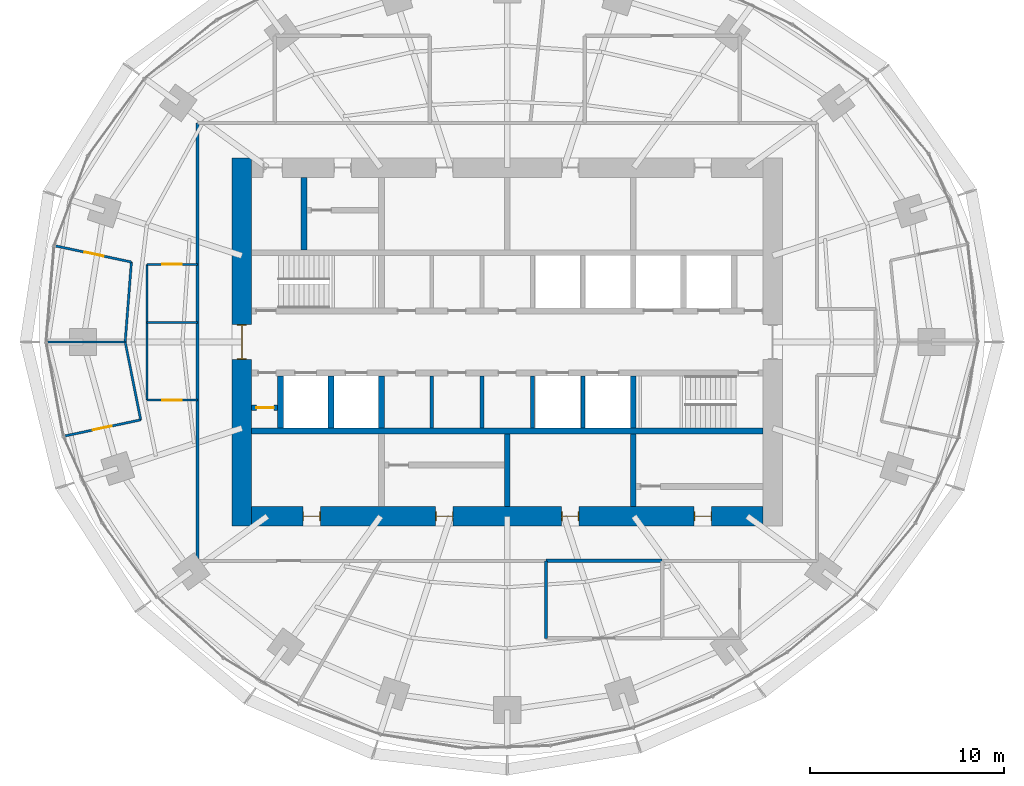
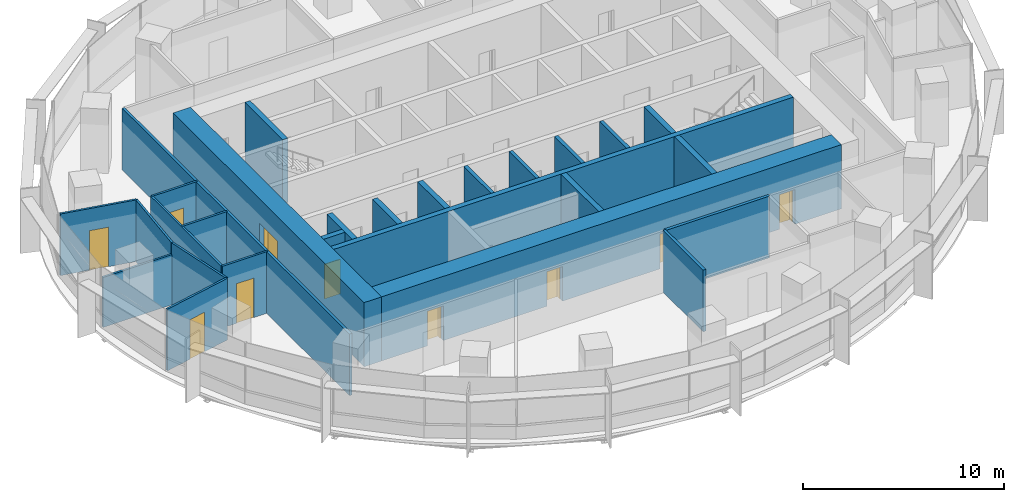
# One storey, part 10 of 14: 27 walls, 10 doors, 10 openings.
"""IFC4 building model written with IfcOpenShell, lengths in metres."""

from ifc_helpers import new_model, si_unit, direction, frame, frame_2d, origin, place, context, subcontext, project, spatial, rectangle, extrude, material, layer, layer_set, type_object, element, fill, save


model = new_model("IFC4")

# Units and contexts
model_context = context("Model", 3, precision=1e-05, world=origin(), true_north=direction((0.0, 1.0)))
body_context = subcontext(model_context, "Body", "Model", "MODEL_VIEW")
ifc_project = project(units=[si_unit("LENGTHUNIT", "METRE"), si_unit("AREAUNIT", "SQUARE_METRE"), si_unit("VOLUMEUNIT", "CUBIC_METRE"), si_unit("PLANEANGLEUNIT", "RADIAN"), si_unit("MASSUNIT", "GRAM", prefix="KILO")], contexts=[model_context])

# Site, building, storey
site_placement = place(None, origin())
site = spatial("IfcSite", under=ifc_project, at=site_placement, CompositionType="ELEMENT")
building_placement = place(site_placement, origin())
building = spatial("IfcBuilding", under=site, at=building_placement, Name="Marramba Exchange Tower", CompositionType="ELEMENT")
storey_placement = place(building_placement, frame((0.0, 0.0, 183.800048828125)))
storey = spatial("IfcBuildingStorey", under=building, at=storey_placement, Name="L44", CompositionType="ELEMENT", Elevation=183.800048828125)

# Walls
ifc_material_1 = material(Name="Plasterboard on staggered double steel studs, acoustic insulation", Category="steel")
ifc_layer_1 = layer(ifc_material_1, 0.169921875)
ifc_layer_set_1 = layer_set([ifc_layer_1], Name="Acoustic partition 170")
wall_type_1 = type_object("IfcWallType", Name="Acoustic partition 170", PredefinedType="PARTITIONING", material=ifc_layer_set_1)
wall_1_placement = place(storey_placement, frame((2.0, -11.300048828125, 0.0), z_axis=(0.0, 0.0, 1.0), x_axis=(0.0, -1.0, 0.0)))
element("IfcWall", 1, at=wall_1_placement, inside=storey, type_object=wall_type_1, Name="Acoustic partition L44 06", PredefinedType="PARTITIONING", context=body_context, shape_type="SweptSolid", body=[
    extrude(rectangle(XDim=4.0, YDim=0.169921875, at=frame_2d((2.0, 0.0))), origin(), (0.0, 0.0, 1.0), 3.739990234375),
])
wall_2_placement = place(storey_placement, frame((8.0, -11.300048828125, 0.0), z_axis=(0.0, 0.0, 1.0), x_axis=(-1.0, 0.0, 0.0)))
element("IfcWall", 2, at=wall_2_placement, inside=storey, type_object=wall_type_1, Name="Acoustic partition L44 08", PredefinedType="PARTITIONING", context=body_context, shape_type="SweptSolid", body=[
    extrude(rectangle(XDim=6.0, YDim=0.169921875, at=frame_2d((3.0, 0.0))), origin(), (0.0, 0.0, 1.0), 3.739990234375),
])
ifc_material_2 = material(Name="Concrete N50", Category="concrete")
ifc_layer_2 = layer(ifc_material_2, 0.199951171875)
ifc_layer_set_2 = layer_set([ifc_layer_2], Name="Core shaft wall 200")
wall_type_2 = type_object("IfcWallType", Name="Core shaft wall 200", PredefinedType="SHEAR", material=ifc_layer_set_2)
for number, where, z_axis, x_axis, name in (
    (3, (-3.89990234375, -1.75, 0.0), (0.0, 0.0, 1.0), (0.0, -1.0, 0.0), "Core wall SHS1 L44"),
    (4, (-1.300048828125, -1.75, 0.0), (0.0, 0.0, 1.0), (0.0, -1.0, 0.0), "Core wall SHS2 L44"),
    (5, (1.300048828125, -1.75, 0.0), (0.0, 0.0, 1.0), (0.0, -1.0, 0.0), "Core wall SHS3 L44"),
    (6, (3.89990234375, -1.75, 0.0), (0.0, 0.0, 1.0), (0.0, -1.0, 0.0), "Core wall SHS4 L44"),
):
    element("IfcWall", number, at=place(storey_placement, frame(where, z_axis=z_axis, x_axis=x_axis)), inside=storey, type_object=wall_type_2, Name=name, PredefinedType="SHEAR", context=body_context, shape_type="SweptSolid", body=[
        extrude(rectangle(XDim=2.699951171875, YDim=0.199951171875, at=frame_2d((1.35009765625, 0.0))), origin(), (0.0, 0.0, 1.0), 3.89990234375),
    ])

# Wall, openings, doors
ifc_layer_3 = layer(ifc_material_2, 1.0)
ifc_layer_set_3 = layer_set([ifc_layer_3], Name="Core wall 1000")
wall_type_3 = type_object("IfcWallType", Name="Core wall 1000", PredefinedType="SHEAR", material=ifc_layer_set_3)
wall_3_placement = place(storey_placement, frame((-13.199951171875, -9.0, 0.0), z_axis=(0.0, 0.0, 1.0), x_axis=(1.0, 0.0, 0.0)))
wall_3 = element("IfcWall", 7, at=wall_3_placement, inside=storey, type_object=wall_type_3, Name="Core wall S L44", PredefinedType="SHEAR", context=body_context, shape_type="SweptSolid", body=[
    extrude(rectangle(XDim=26.39990234375, YDim=1.0, at=frame_2d((13.199951171875, 0.0))), origin(), (0.0, 0.0, 1.0), 3.89990234375),
])
opening_1_placement = place(wall_3_placement, frame((2.64990234375, 0.0, 0.0)))
opening_1 = element("IfcOpeningElement", 8, at=opening_1_placement, cuts=wall_3, Name="Opening D5", PredefinedType="OPENING", context=body_context, shape_type="SweptSolid", body=[
    extrude(rectangle(XDim=0.89990234375, YDim=2.10009765625, at=frame_2d((0.449951171875, 1.050048828125))), frame((0.0, 0.510009765625, 0.0), z_axis=(0.0, -1.0, 0.0), x_axis=(1.0, 0.0, 0.0)), (0.0, 0.0, 1.0), 1.02001953125),
])
opening_2_placement = place(wall_3_placement, frame((9.5, 0.0, 0.0)))
opening_2 = element("IfcOpeningElement", 9, at=opening_2_placement, cuts=wall_3, Name="Opening D5", PredefinedType="OPENING", context=body_context, shape_type="SweptSolid", body=[
    extrude(rectangle(XDim=0.89990234375, YDim=2.10009765625, at=frame_2d((0.449951171875, 1.050048828125))), frame((0.0, 0.510009765625, 0.0), z_axis=(0.0, -1.0, 0.0), x_axis=(1.0, 0.0, 0.0)), (0.0, 0.0, 1.0), 1.02001953125),
])
opening_3_placement = place(wall_3_placement, frame((16.0, 0.0, 0.0)))
opening_3 = element("IfcOpeningElement", 10, at=opening_3_placement, cuts=wall_3, Name="Opening D5", PredefinedType="OPENING", context=body_context, shape_type="SweptSolid", body=[
    extrude(rectangle(XDim=0.89990234375, YDim=2.10009765625, at=frame_2d((0.449951171875, 1.050048828125))), frame((0.0, 0.510009765625, 0.0), z_axis=(0.0, -1.0, 0.0), x_axis=(1.0, 0.0, 0.0)), (0.0, 0.0, 1.0), 1.02001953125),
])
opening_4_placement = place(wall_3_placement, frame((22.85009765625, 0.0, 0.0)))
opening_4 = element("IfcOpeningElement", 11, at=opening_4_placement, cuts=wall_3, Name="Opening D5", PredefinedType="OPENING", context=body_context, shape_type="SweptSolid", body=[
    extrude(rectangle(XDim=0.89990234375, YDim=2.10009765625, at=frame_2d((0.449951171875, 1.050048828125))), frame((0.0, 0.510009765625, 0.0), z_axis=(0.0, -1.0, 0.0), x_axis=(1.0, 0.0, 0.0)), (0.0, 0.0, 1.0), 1.02001953125),
])
ifc_material_3 = material(Name="Steel-framed door", Category="steel")
door_type_1 = type_object("IfcDoorType", Name="Service door 900x2100", OperationType="SINGLE_SWING_LEFT", PredefinedType="DOOR", material=ifc_material_3)
door_1_placement = place(opening_1_placement, origin())
door_1 = element("IfcDoor", 12, at=door_1_placement, inside=storey, type_object=door_type_1, Name="D5 ahu L44", OperationType="SINGLE_SWING_LEFT", OverallHeight=2.10009765625, OverallWidth=0.89990234375, PredefinedType="DOOR", context=body_context, shape_type="SweptSolid", body=[
    extrude(rectangle(XDim=0.81982421875, YDim=2.06005859375, at=frame_2d((0.449951171875, 1.030029296875))), frame((0.0, 0.02490234375, 0.0), z_axis=(0.0, -1.0, 0.0), x_axis=(1.0, 0.0, 0.0)), (0.0, 0.0, 1.0), 0.050048828125),
    extrude(rectangle(XDim=0.04, YDim=2.10009765625, at=frame_2d((0.02001953125, 1.050048828125))), frame((0.0, 0.25, 0.0), z_axis=(0.0, -1.0, 0.0), x_axis=(1.0, 0.0, 0.0)), (0.0, 0.0, 1.0), 0.5),
    extrude(rectangle(XDim=0.04, YDim=2.10009765625, at=frame_2d((0.8798828125, 1.050048828125))), frame((0.0, 0.25, 0.0), z_axis=(0.0, -1.0, 0.0), x_axis=(1.0, 0.0, 0.0)), (0.0, 0.0, 1.0), 0.5),
    extrude(rectangle(XDim=0.81982421875, YDim=0.04, at=frame_2d((0.449951171875, 2.080078125))), frame((0.0, 0.25, 0.0), z_axis=(0.0, -1.0, 0.0), x_axis=(1.0, 0.0, 0.0)), (0.0, 0.0, 1.0), 0.5),
])
fill(opening_1, door_1)
door_2_placement = place(opening_2_placement, origin())
door_2 = element("IfcDoor", 13, at=door_2_placement, inside=storey, type_object=door_type_1, Name="D5 store L44", OperationType="SINGLE_SWING_RIGHT", OverallHeight=2.10009765625, OverallWidth=0.89990234375, PredefinedType="DOOR", context=body_context, shape_type="SweptSolid", body=[
    extrude(rectangle(XDim=0.81982421875, YDim=2.06005859375, at=frame_2d((0.449951171875, 1.030029296875))), frame((0.0, 0.02490234375, 0.0), z_axis=(0.0, -1.0, 0.0), x_axis=(1.0, 0.0, 0.0)), (0.0, 0.0, 1.0), 0.050048828125),
    extrude(rectangle(XDim=0.04, YDim=2.10009765625, at=frame_2d((0.02001953125, 1.050048828125))), frame((0.0, 0.25, 0.0), z_axis=(0.0, -1.0, 0.0), x_axis=(1.0, 0.0, 0.0)), (0.0, 0.0, 1.0), 0.5),
    extrude(rectangle(XDim=0.04, YDim=2.10009765625, at=frame_2d((0.8798828125, 1.050048828125))), frame((0.0, 0.25, 0.0), z_axis=(0.0, -1.0, 0.0), x_axis=(1.0, 0.0, 0.0)), (0.0, 0.0, 1.0), 0.5),
    extrude(rectangle(XDim=0.81982421875, YDim=0.04, at=frame_2d((0.449951171875, 2.080078125))), frame((0.0, 0.25, 0.0), z_axis=(0.0, -1.0, 0.0), x_axis=(1.0, 0.0, 0.0)), (0.0, 0.0, 1.0), 0.5),
])
fill(opening_2, door_2)
door_3_placement = place(opening_3_placement, origin())
door_3 = element("IfcDoor", 14, at=door_3_placement, inside=storey, type_object=door_type_1, Name="D5 switch L44", OperationType="SINGLE_SWING_RIGHT", OverallHeight=2.10009765625, OverallWidth=0.89990234375, PredefinedType="DOOR", context=body_context, shape_type="SweptSolid", body=[
    extrude(rectangle(XDim=0.81982421875, YDim=2.06005859375, at=frame_2d((0.449951171875, 1.030029296875))), frame((0.0, 0.02490234375, 0.0), z_axis=(0.0, -1.0, 0.0), x_axis=(1.0, 0.0, 0.0)), (0.0, 0.0, 1.0), 0.050048828125),
    extrude(rectangle(XDim=0.04, YDim=2.10009765625, at=frame_2d((0.02001953125, 1.050048828125))), frame((0.0, 0.25, 0.0), z_axis=(0.0, -1.0, 0.0), x_axis=(1.0, 0.0, 0.0)), (0.0, 0.0, 1.0), 0.5),
    extrude(rectangle(XDim=0.04, YDim=2.10009765625, at=frame_2d((0.8798828125, 1.050048828125))), frame((0.0, 0.25, 0.0), z_axis=(0.0, -1.0, 0.0), x_axis=(1.0, 0.0, 0.0)), (0.0, 0.0, 1.0), 0.5),
    extrude(rectangle(XDim=0.81982421875, YDim=0.04, at=frame_2d((0.449951171875, 2.080078125))), frame((0.0, 0.25, 0.0), z_axis=(0.0, -1.0, 0.0), x_axis=(1.0, 0.0, 0.0)), (0.0, 0.0, 1.0), 0.5),
])
fill(opening_3, door_3)
door_4_placement = place(opening_4_placement, origin())
door_4 = element("IfcDoor", 15, at=door_4_placement, inside=storey, type_object=door_type_1, Name="D5 cstore L44", OperationType="SINGLE_SWING_RIGHT", OverallHeight=2.10009765625, OverallWidth=0.89990234375, PredefinedType="DOOR", context=body_context, shape_type="SweptSolid", body=[
    extrude(rectangle(XDim=0.81982421875, YDim=2.06005859375, at=frame_2d((0.449951171875, 1.030029296875))), frame((0.0, 0.02490234375, 0.0), z_axis=(0.0, -1.0, 0.0), x_axis=(1.0, 0.0, 0.0)), (0.0, 0.0, 1.0), 0.050048828125),
    extrude(rectangle(XDim=0.04, YDim=2.10009765625, at=frame_2d((0.02001953125, 1.050048828125))), frame((0.0, 0.25, 0.0), z_axis=(0.0, -1.0, 0.0), x_axis=(1.0, 0.0, 0.0)), (0.0, 0.0, 1.0), 0.5),
    extrude(rectangle(XDim=0.04, YDim=2.10009765625, at=frame_2d((0.8798828125, 1.050048828125))), frame((0.0, 0.25, 0.0), z_axis=(0.0, -1.0, 0.0), x_axis=(1.0, 0.0, 0.0)), (0.0, 0.0, 1.0), 0.5),
    extrude(rectangle(XDim=0.81982421875, YDim=0.04, at=frame_2d((0.449951171875, 2.080078125))), frame((0.0, 0.25, 0.0), z_axis=(0.0, -1.0, 0.0), x_axis=(1.0, 0.0, 0.0)), (0.0, 0.0, 1.0), 0.5),
])
fill(opening_4, door_4)

# Wall, opening, door
wall_4_placement = place(storey_placement, frame((-13.699951171875, 9.5, 0.0), z_axis=(0.0, 0.0, 1.0), x_axis=(0.0, -1.0, 0.0)))
wall_4 = element("IfcWall", 16, at=wall_4_placement, inside=storey, type_object=wall_type_3, Name="Core wall W L44", PredefinedType="SHEAR", context=body_context, shape_type="SweptSolid", body=[
    extrude(rectangle(XDim=19.0, YDim=1.0, at=frame_2d((9.5, 0.0))), origin(), (0.0, 0.0, 1.0), 3.89990234375),
])
opening_5_placement = place(wall_4_placement, frame((8.60009765625, 0.0, 0.0)))
opening_5 = element("IfcOpeningElement", 17, at=opening_5_placement, cuts=wall_4, Name="Opening D1", PredefinedType="OPENING", context=body_context, shape_type="SweptSolid", body=[
    extrude(rectangle(XDim=1.800048828125, YDim=2.39990234375, at=frame_2d((0.89990234375, 1.199951171875))), frame((0.0, 0.510009765625, 0.0), z_axis=(0.0, -1.0, 0.0), x_axis=(1.0, 0.0, 0.0)), (0.0, 0.0, 1.0), 1.02001953125),
])
door_type_2 = type_object("IfcDoorType", Name="Lobby exit door 1800x2400", OperationType="DOUBLE_DOOR_SINGLE_SWING", PredefinedType="DOOR", material=ifc_material_3)
door_5_placement = place(opening_5_placement, origin())
door_5 = element("IfcDoor", 18, at=door_5_placement, inside=storey, type_object=door_type_2, Name="D1 lobby exit west L44", OperationType="DOUBLE_DOOR_SINGLE_SWING", OverallHeight=2.39990234375, OverallWidth=1.800048828125, PredefinedType="DOOR", context=body_context, shape_type="SweptSolid", body=[
    extrude(rectangle(XDim=1.719970703125, YDim=2.35986328125, at=frame_2d((0.89990234375, 1.179931640625))), frame((0.0, 0.02490234375, 0.0), z_axis=(0.0, -1.0, 0.0), x_axis=(1.0, 0.0, 0.0)), (0.0, 0.0, 1.0), 0.050048828125),
    extrude(rectangle(XDim=0.04, YDim=2.39990234375, at=frame_2d((0.02001953125, 1.199951171875))), frame((0.0, 0.25, 0.0), z_axis=(0.0, -1.0, 0.0), x_axis=(1.0, 0.0, 0.0)), (0.0, 0.0, 1.0), 0.5),
    extrude(rectangle(XDim=0.04, YDim=2.39990234375, at=frame_2d((1.780029296875, 1.199951171875))), frame((0.0, 0.25, 0.0), z_axis=(0.0, -1.0, 0.0), x_axis=(1.0, 0.0, 0.0)), (0.0, 0.0, 1.0), 0.5),
    extrude(rectangle(XDim=1.719970703125, YDim=0.04, at=frame_2d((0.89990234375, 2.3798828125))), frame((0.0, 0.25, 0.0), z_axis=(0.0, -1.0, 0.0), x_axis=(1.0, 0.0, 0.0)), (0.0, 0.0, 1.0), 0.5),
])
fill(opening_5, door_5)

# Walls
ifc_layer_4 = layer(ifc_material_2, 0.300048828125)
ifc_layer_set_4 = layer_set([ifc_layer_4], Name="Core wall 300")
wall_type_4 = type_object("IfcWallType", Name="Core wall 300", PredefinedType="SHEAR", material=ifc_layer_set_4)
wall_5_placement = place(storey_placement, frame((-13.199951171875, -4.60009765625, 0.0), z_axis=(0.0, 0.0, 1.0), x_axis=(1.0, 0.0, 0.0)))
element("IfcWall", 19, at=wall_5_placement, inside=storey, type_object=wall_type_4, Name="Core wall BS L44", PredefinedType="SHEAR", context=body_context, shape_type="SweptSolid", body=[
    extrude(rectangle(XDim=26.39990234375, YDim=0.300048828125, at=frame_2d((13.199951171875, 0.0))), origin(), (0.0, 0.0, 1.0), 3.89990234375),
])
for number, where, z_axis, x_axis, name in (
    (20, (-6.5, -1.75, 0.0), (0.0, 0.0, 1.0), (0.0, -1.0, 0.0), "Core wall X0Sa L44"),
    (21, (6.5, -1.75, 0.0), (0.0, 0.0, 1.0), (0.0, -1.0, 0.0), "Core wall X1Sa L44"),
):
    element("IfcWall", number, at=place(storey_placement, frame(where, z_axis=z_axis, x_axis=x_axis)), inside=storey, type_object=wall_type_4, Name=name, PredefinedType="SHEAR", context=body_context, shape_type="SweptSolid", body=[
        extrude(rectangle(XDim=2.699951171875, YDim=0.300048828125, at=frame_2d((1.35009765625, 0.0))), origin(), (0.0, 0.0, 1.0), 3.89990234375),
    ])
for number, where, z_axis, x_axis, name in (
    (22, (6.5, -4.75, 0.0), (0.0, 0.0, 1.0), (0.0, -1.0, 0.0), "Core wall X1Sb L44"),
    (23, (0.0, -4.75, 0.0), (0.0, 0.0, 1.0), (0.0, -1.0, 0.0), "Core wall MS L44"),
    (24, (-10.5, 4.75, 0.0), (0.0, 0.0, 1.0), (0.0, 1.0, 0.0), "Core wall WD L44"),
):
    element("IfcWall", number, at=place(storey_placement, frame(where, z_axis=z_axis, x_axis=x_axis)), inside=storey, type_object=wall_type_4, Name=name, PredefinedType="SHEAR", context=body_context, shape_type="SweptSolid", body=[
        extrude(rectangle(XDim=3.75, YDim=0.300048828125, at=frame_2d((1.875, 0.0))), origin(), (0.0, 0.0, 1.0), 3.89990234375),
    ])
ifc_material_4 = material(Name="Core-filled concrete blockwork", Category="masonry")
ifc_layer_5 = layer(ifc_material_4, 0.300048828125)
ifc_layer_set_5 = layer_set([ifc_layer_5], Name="Lift shaft wall 300")
wall_type_5 = type_object("IfcWallType", Name="Lift shaft wall 300", PredefinedType="SOLIDWALL", material=ifc_layer_set_5)
for number, where, z_axis, x_axis, name in (
    (25, (-9.10009765625, -1.75, 0.0), (0.0, 0.0, 1.0), (0.0, -1.0, 0.0), "Lift shaft wall W1 L44"),
    (26, (-11.699951171875, -1.75, 0.0), (0.0, 0.0, 1.0), (0.0, -1.0, 0.0), "Lift shaft wall W2 L44"),
):
    element("IfcWall", number, at=place(storey_placement, frame(where, z_axis=z_axis, x_axis=x_axis)), inside=storey, type_object=wall_type_5, Name=name, PredefinedType="SOLIDWALL", context=body_context, shape_type="SweptSolid", body=[
        extrude(rectangle(XDim=2.699951171875, YDim=0.300048828125, at=frame_2d((1.35009765625, 0.0))), origin(), (0.0, 0.0, 1.0), 3.739990234375),
    ])
ifc_material_5 = material(Name="Plasterboard on steel studs", Category="steel")
ifc_layer_6 = layer(ifc_material_5, 0.1201171875)
ifc_layer_set_6 = layer_set([ifc_layer_6], Name="Partition 120")
wall_type_6 = type_object("IfcWallType", Name="Partition 120", PredefinedType="PARTITIONING", material=ifc_layer_set_6)
wall_6_placement = place(storey_placement, frame((-18.92236328125, -4.022216796875, 0.0), z_axis=(0.0, 0.0, 1.0), x_axis=(-0.195944435797, 0.980614999926, 0.0)))
element("IfcWall", 27, at=wall_6_placement, inside=storey, type_object=wall_type_6, Name="Partition L44 01", PredefinedType="PARTITIONING", context=body_context, shape_type="SweptSolid", body=[
    extrude(rectangle(XDim=4.101806640625, YDim=0.1201171875, at=frame_2d((2.05078125, 0.0))), origin(), (0.0, 0.0, 1.0), 3.739990234375),
])

# Wall, opening, door
wall_7_placement = place(storey_placement, frame((-18.60009765625, -3.0, 0.0), z_axis=(0.0, 0.0, 1.0), x_axis=(1.0, 0.0, 0.0)))
wall_7 = element("IfcWall", 28, at=wall_7_placement, inside=storey, type_object=wall_type_6, Name="Partition L44 02", PredefinedType="PARTITIONING", context=body_context, shape_type="SweptSolid", body=[
    extrude(rectangle(XDim=2.60009765625, YDim=0.1201171875, at=frame_2d((1.300048828125, 0.0))), origin(), (0.0, 0.0, 1.0), 3.739990234375),
])
opening_6_placement = place(wall_7_placement, frame((0.800048828125, 0.0, 0.0)))
opening_6 = element("IfcOpeningElement", 29, at=opening_6_placement, cuts=wall_7, Name="Opening D9", PredefinedType="OPENING", context=body_context, shape_type="SweptSolid", body=[
    extrude(rectangle(XDim=1.0, YDim=2.39990234375, at=frame_2d((0.5, 1.199951171875))), frame((0.0, 0.070068359375, 0.0), z_axis=(0.0, -1.0, 0.0), x_axis=(1.0, 0.0, 0.0)), (0.0, 0.0, 1.0), 0.14013671875),
])
ifc_material_6 = material(Name="Timber door", Category="wood")
door_type_3 = type_object("IfcDoorType", Name="Room door 1000x2400", OperationType="SINGLE_SWING_LEFT", PredefinedType="DOOR", material=ifc_material_6)
door_6_placement = place(opening_6_placement, origin())
door_6 = element("IfcDoor", 30, at=door_6_placement, inside=storey, type_object=door_type_3, Name="D9 Pantry 2 L44", OperationType="SINGLE_SWING_RIGHT", OverallHeight=2.39990234375, OverallWidth=1.0, PredefinedType="DOOR", context=body_context, shape_type="SweptSolid", body=[
    extrude(rectangle(XDim=1.0, YDim=2.39990234375, at=frame_2d((0.5, 1.199951171875))), frame((0.0, 0.02490234375, 0.0), z_axis=(0.0, -1.0, 0.0), x_axis=(1.0, 0.0, 0.0)), (0.0, 0.0, 1.0), 0.050048828125),
])
fill(opening_6, door_6)

wall_8_placement = place(storey_placement, frame((-22.8349609375, -4.853759765625, 0.0), z_axis=(0.0, 0.0, 1.0), x_axis=(0.978152955943, 0.207886494942, 0.0)))
wall_8 = element("IfcWall", 31, at=wall_8_placement, inside=storey, type_object=wall_type_6, Name="Partition L44 03", PredefinedType="PARTITIONING", context=body_context, shape_type="SweptSolid", body=[
    extrude(rectangle(XDim=4.0, YDim=0.1201171875, at=frame_2d((2.0, 0.0))), origin(), (0.0, 0.0, 1.0), 3.739990234375),
])
opening_7_placement = place(wall_8_placement, frame((1.47412109375, 0.0, 0.0)))
opening_7 = element("IfcOpeningElement", 32, at=opening_7_placement, cuts=wall_8, Name="Opening D9", PredefinedType="OPENING", context=body_context, shape_type="SweptSolid", body=[
    extrude(rectangle(XDim=1.0, YDim=2.39990234375, at=frame_2d((0.5, 1.199951171875))), frame((0.0, 0.070068359375, 0.0), z_axis=(0.0, -1.0, 0.0), x_axis=(1.0, 0.0, 0.0)), (0.0, 0.0, 1.0), 0.14013671875),
])
door_7_placement = place(opening_7_placement, origin())
door_7 = element("IfcDoor", 33, at=door_7_placement, inside=storey, type_object=door_type_3, Name="D9 Office 4 L44", OperationType="SINGLE_SWING_RIGHT", OverallHeight=2.39990234375, OverallWidth=1.0, PredefinedType="DOOR", context=body_context, shape_type="SweptSolid", body=[
    extrude(rectangle(XDim=1.0, YDim=2.39990234375, at=frame_2d((0.5, 1.199951171875))), frame((0.0, 0.02490234375, 0.0), z_axis=(0.0, -1.0, 0.0), x_axis=(1.0, 0.0, 0.0)), (0.0, 0.0, 1.0), 0.050048828125),
])
fill(opening_7, door_7)

wall_9_placement = place(storey_placement, frame((-16.0, 4.0, 0.0), z_axis=(0.0, 0.0, 1.0), x_axis=(-1.0, 0.0, 0.0)))
wall_9 = element("IfcWall", 34, at=wall_9_placement, inside=storey, type_object=wall_type_6, Name="Partition L44 35", PredefinedType="PARTITIONING", context=body_context, shape_type="SweptSolid", body=[
    extrude(rectangle(XDim=2.60009765625, YDim=0.1201171875, at=frame_2d((1.300048828125, 0.0))), origin(), (0.0, 0.0, 1.0), 3.739990234375),
])
opening_8_placement = place(wall_9_placement, frame((0.800048828125, 0.0, 0.0)))
opening_8 = element("IfcOpeningElement", 35, at=opening_8_placement, cuts=wall_9, Name="Opening D9", PredefinedType="OPENING", context=body_context, shape_type="SweptSolid", body=[
    extrude(rectangle(XDim=1.0, YDim=2.39990234375, at=frame_2d((0.5, 1.199951171875))), frame((0.0, 0.070068359375, 0.0), z_axis=(0.0, -1.0, 0.0), x_axis=(1.0, 0.0, 0.0)), (0.0, 0.0, 1.0), 0.14013671875),
])
door_8_placement = place(opening_8_placement, origin())
door_8 = element("IfcDoor", 36, at=door_8_placement, inside=storey, type_object=door_type_3, Name="D9 Print Room L44", OperationType="SINGLE_SWING_RIGHT", OverallHeight=2.39990234375, OverallWidth=1.0, PredefinedType="DOOR", context=body_context, shape_type="SweptSolid", body=[
    extrude(rectangle(XDim=1.0, YDim=2.39990234375, at=frame_2d((0.5, 1.199951171875))), frame((0.0, 0.02490234375, 0.0), z_axis=(0.0, -1.0, 0.0), x_axis=(1.0, 0.0, 0.0)), (0.0, 0.0, 1.0), 0.050048828125),
])
fill(opening_8, door_8)

wall_10_placement = place(storey_placement, frame((-19.404541015625, 4.12451171875, 0.0), z_axis=(0.0, 0.0, 1.0), x_axis=(-0.978140543132, 0.207944891454, 0.0)))
wall_10 = element("IfcWall", 37, at=wall_10_placement, inside=storey, type_object=wall_type_6, Name="Partition L44 36", PredefinedType="PARTITIONING", context=body_context, shape_type="SweptSolid", body=[
    extrude(rectangle(XDim=4.0, YDim=0.1201171875, at=frame_2d((2.0, 0.0))), origin(), (0.0, 0.0, 1.0), 3.739990234375),
])
opening_9_placement = place(wall_10_placement, frame((1.47412109375, 0.0, 0.0)))
opening_9 = element("IfcOpeningElement", 38, at=opening_9_placement, cuts=wall_10, Name="Opening D9", PredefinedType="OPENING", context=body_context, shape_type="SweptSolid", body=[
    extrude(rectangle(XDim=1.0, YDim=2.39990234375, at=frame_2d((0.5, 1.199951171875))), frame((0.0, 0.070068359375, 0.0), z_axis=(0.0, -1.0, 0.0), x_axis=(1.0, 0.0, 0.0)), (0.0, 0.0, 1.0), 0.14013671875),
])
door_9_placement = place(opening_9_placement, origin())
door_9 = element("IfcDoor", 39, at=door_9_placement, inside=storey, type_object=door_type_3, Name="D9 Office 3 L44", OperationType="SINGLE_SWING_RIGHT", OverallHeight=2.39990234375, OverallWidth=1.0, PredefinedType="DOOR", context=body_context, shape_type="SweptSolid", body=[
    extrude(rectangle(XDim=1.0, YDim=2.39990234375, at=frame_2d((0.5, 1.199951171875))), frame((0.0, 0.02490234375, 0.0), z_axis=(0.0, -1.0, 0.0), x_axis=(1.0, 0.0, 0.0)), (0.0, 0.0, 1.0), 0.050048828125),
])
fill(opening_9, door_9)

# Walls
wall_11_placement = place(storey_placement, frame((-19.72607421875, 0.0, 0.0), z_axis=(0.0, 0.0, 1.0), x_axis=(0.077720864456, 0.996975158782, 0.0)))
element("IfcWall", 40, at=wall_11_placement, inside=storey, type_object=wall_type_6, Name="Partition L44 37", PredefinedType="PARTITIONING", context=body_context, shape_type="SweptSolid", body=[
    extrude(rectangle(XDim=4.136962890625, YDim=0.1201171875, at=frame_2d((2.068359375, 0.0))), origin(), (0.0, 0.0, 1.0), 3.739990234375),
])
wall_12_placement = place(storey_placement, frame((-18.60009765625, 1.0, 0.0), z_axis=(0.0, 0.0, 1.0), x_axis=(1.0, 0.0, 0.0)))
element("IfcWall", 41, at=wall_12_placement, inside=storey, type_object=wall_type_6, Name="Partition L44 38", PredefinedType="PARTITIONING", context=body_context, shape_type="SweptSolid", body=[
    extrude(rectangle(XDim=2.60009765625, YDim=0.1201171875, at=frame_2d((1.300048828125, 0.0))), origin(), (0.0, 0.0, 1.0), 3.739990234375),
])
wall_13_placement = place(storey_placement, frame((-18.60009765625, 4.0, 0.0), z_axis=(0.0, 0.0, 1.0), x_axis=(0.0, -1.0, 0.0)))
element("IfcWall", 42, at=wall_13_placement, inside=storey, type_object=wall_type_6, Name="Partition L44 39", PredefinedType="PARTITIONING", context=body_context, shape_type="SweptSolid", body=[
    extrude(rectangle(XDim=7.0, YDim=0.1201171875, at=frame_2d((3.5, 0.0))), origin(), (0.0, 0.0, 1.0), 3.739990234375),
])
wall_14_placement = place(storey_placement, frame((-19.72607421875, 0.0, 0.0), z_axis=(0.0, 0.0, 1.0), x_axis=(-1.0, 0.0, 0.0)))
element("IfcWall", 43, at=wall_14_placement, inside=storey, type_object=wall_type_6, Name="Partition L44 40", PredefinedType="PARTITIONING", context=body_context, shape_type="SweptSolid", body=[
    extrude(rectangle(XDim=4.0, YDim=0.1201171875, at=frame_2d((2.0, 0.0))), origin(), (0.0, 0.0, 1.0), 3.0400390625),
])

# Wall, opening, door
ifc_layer_7 = layer(ifc_material_4, 0.300048828125)
ifc_layer_set_7 = layer_set([ifc_layer_7], Name="Riser enclosure wall 300")
wall_type_7 = type_object("IfcWallType", Name="Riser enclosure wall 300", PredefinedType="SOLIDWALL", material=ifc_layer_set_7)
wall_15_placement = place(storey_placement, frame((-13.199951171875, -3.39990234375, 0.0), z_axis=(0.0, 0.0, 1.0), x_axis=(1.0, 0.0, 0.0)))
wall_15 = element("IfcWall", 44, at=wall_15_placement, inside=storey, type_object=wall_type_7, Name="Riser enclosure wall L44", PredefinedType="SOLIDWALL", context=body_context, shape_type="SweptSolid", body=[
    extrude(rectangle(XDim=1.349853515625, YDim=0.300048828125, at=frame_2d((0.6748046875, 0.0))), origin(), (0.0, 0.0, 1.0), 3.739990234375),
])
opening_10_placement = place(wall_15_placement, frame((0.25, 0.0, 0.0)))
opening_10 = element("IfcOpeningElement", 45, at=opening_10_placement, cuts=wall_15, Name="Opening D5", PredefinedType="OPENING", context=body_context, shape_type="SweptSolid", body=[
    extrude(rectangle(XDim=0.89990234375, YDim=2.10009765625, at=frame_2d((0.449951171875, 1.050048828125))), frame((0.0, 0.159912109375, 0.0), z_axis=(0.0, -1.0, 0.0), x_axis=(1.0, 0.0, 0.0)), (0.0, 0.0, 1.0), 0.320068359375),
])
door_10_placement = place(opening_10_placement, frame((0.89990234375, 0.0, 0.0), z_axis=(0.0, 0.0, 1.0), x_axis=(-1.0, 0.0, 0.0)))
door_10 = element("IfcDoor", 46, at=door_10_placement, inside=storey, type_object=door_type_1, Name="D5 electrical riser back L44", OperationType="SINGLE_SWING_LEFT", OverallHeight=2.10009765625, OverallWidth=0.89990234375, PredefinedType="DOOR", context=body_context, shape_type="SweptSolid", body=[
    extrude(rectangle(XDim=0.89990234375, YDim=2.10009765625, at=frame_2d((0.449951171875, 1.050048828125))), frame((0.0, 0.025146484375, 0.0), z_axis=(0.0, -1.0, 0.0), x_axis=(1.0, 0.0, 0.0)), (0.0, 0.0, 1.0), 0.050048828125),
])
fill(opening_10, door_10)

# Wall
ifc_material_7 = material(Name="Fire-rated plasterboard on steel studs, acoustic insulation", Category="steel")
ifc_layer_8 = layer(ifc_material_7, 0.14990234375)
ifc_layer_set_8 = layer_set([ifc_layer_8], Name="Tenancy wall 150")
wall_type_8 = type_object("IfcWallType", Name="Tenancy wall 150", PredefinedType="PARTITIONING", material=ifc_layer_set_8)
wall_16_placement = place(storey_placement, frame((-16.0, 11.300048828125, 0.0), z_axis=(0.0, 0.0, 1.0), x_axis=(0.0, -1.0, 0.0)))
element("IfcWall", 47, at=wall_16_placement, inside=storey, type_object=wall_type_8, Name="Tenancy wall L44 41", PredefinedType="PARTITIONING", context=body_context, shape_type="SweptSolid", body=[
    extrude(rectangle(XDim=22.60009765625, YDim=0.14990234375, at=frame_2d((11.300048828125, 0.0))), origin(), (0.0, 0.0, 1.0), 3.739990234375),
])

save(model, "model.ifc")
